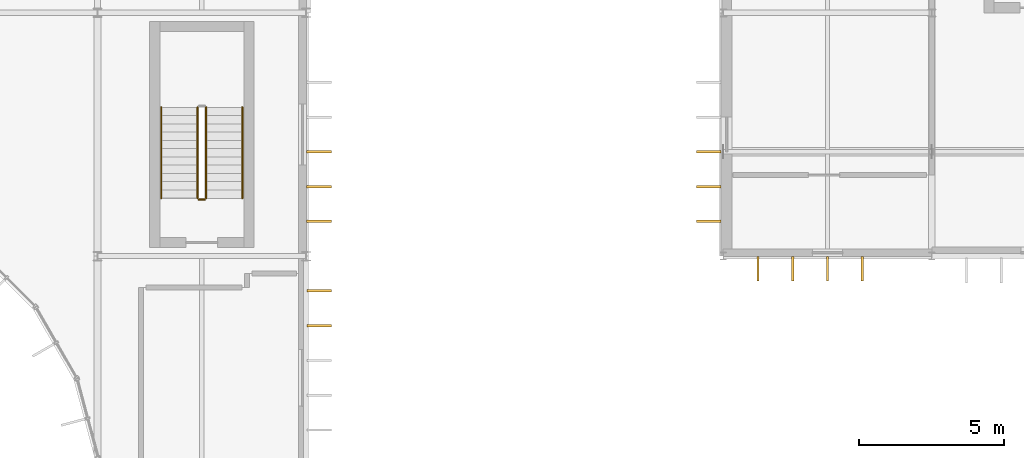
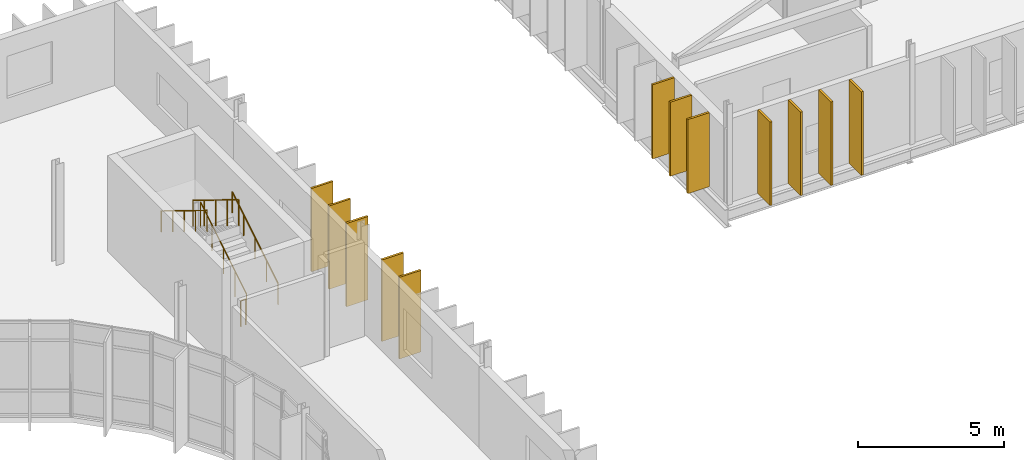
# One storey, part 48 of 52: 12 shading devices, 5 railings.
"""IFC4 building model written with IfcOpenShell, lengths in metres."""

from ifc_helpers import new_model, si_unit, direction, frame, origin, origin_2d, place, context, subcontext, project, spatial, rectangle, circle, extrude, material, type_object, element, save


model = new_model("IFC4")

# Units and contexts
model_context = context("Model", 3, precision=1e-05, world=origin(), true_north=direction((0.0, 1.0)))
body_context = subcontext(model_context, "Body", "Model", "MODEL_VIEW")
ifc_project = project(units=[si_unit("LENGTHUNIT", "METRE"), si_unit("AREAUNIT", "SQUARE_METRE"), si_unit("VOLUMEUNIT", "CUBIC_METRE"), si_unit("PLANEANGLEUNIT", "RADIAN"), si_unit("MASSUNIT", "GRAM", prefix="KILO")], contexts=[model_context])

# Site, building, storey
site_placement = place(None, origin())
site = spatial("IfcSite", under=ifc_project, at=site_placement, CompositionType="ELEMENT")
building_placement = place(site_placement, origin())
building = spatial("IfcBuilding", under=site, at=building_placement, Name="Qelthora Terrace Specialist Clinic", CompositionType="ELEMENT")
storey_placement = place(building_placement, frame((0.0, 0.0, 17.39990234375)))
storey = spatial("IfcBuildingStorey", under=building, at=storey_placement, Name="L04", CompositionType="ELEMENT", Elevation=17.39990234375)

# Railings
ifc_material_1 = material(Name="Steel S355", Category="steel")
railing_type_1 = type_object("IfcRailingType", Name="RAL-GD-1100-S355", PredefinedType="GUARDRAIL", material=ifc_material_1)
railing_1_placement = place(storey_placement, frame((39.75, 94.39990234375, 0.175048828125)))
element("IfcRailing", 1, at=railing_1_placement, inside=storey, type_object=railing_type_1, Name="L04 ST-02 stair guard 1", PredefinedType="GUARDRAIL", context=body_context, shape_type="SweptSolid", body=[
    extrude(circle(Radius=0.02392578125, at=origin_2d()), frame((0.0, 0.0, 1.076171875), z_axis=(0.0, 0.852166034122, 0.523271488128), x_axis=(-1.0, 0.0, 0.0)), (0.0, 0.0, 1.0), 3.678955078125),
    extrude(circle(Radius=0.02099609375, at=origin_2d()), origin(), (0.0, 0.0, 1.0), 1.052001953125),
    extrude(circle(Radius=0.02099609375, at=origin_2d()), frame((0.0, 0.78369140625, 0.481201171875)), (0.0, 0.0, 1.0), 1.052001953125),
    extrude(circle(Radius=0.02099609375, at=origin_2d()), frame((0.0, 1.5673828125, 0.96240234375)), (0.0, 0.0, 1.0), 1.052001953125),
    extrude(circle(Radius=0.02099609375, at=origin_2d()), frame((0.0, 2.351318359375, 1.44384765625)), (0.0, 0.0, 1.0), 1.052001953125),
    extrude(circle(Radius=0.02099609375, at=origin_2d()), frame((0.0, 3.135009765625, 1.925048828125)), (0.0, 0.0, 1.0), 1.052001953125),
])
railing_2_placement = place(storey_placement, frame((39.449951171875, 97.534912109375, 2.275146484375)))
element("IfcRailing", 2, at=railing_2_placement, inside=storey, type_object=railing_type_1, Name="L04 ST-02 stair guard 3", PredefinedType="GUARDRAIL", context=body_context, shape_type="SweptSolid", body=[
    extrude(circle(Radius=0.02392578125, at=origin_2d()), frame((0.0, 0.0, 1.076171875), z_axis=(0.0, -0.852166034122, 0.523271488128), x_axis=(1.0, 0.0, 0.0)), (0.0, 0.0, 1.0), 3.678955078125),
    extrude(circle(Radius=0.02099609375, at=origin_2d()), origin(), (0.0, 0.0, 1.0), 1.052001953125),
    extrude(circle(Radius=0.02099609375, at=origin_2d()), frame((0.0, -0.78369140625, 0.481201171875)), (0.0, 0.0, 1.0), 1.052001953125),
    extrude(circle(Radius=0.02099609375, at=origin_2d()), frame((0.0, -1.5673828125, 0.96240234375)), (0.0, 0.0, 1.0), 1.052001953125),
    extrude(circle(Radius=0.02099609375, at=origin_2d()), frame((0.0, -2.351318359375, 1.44384765625)), (0.0, 0.0, 1.0), 1.052001953125),
    extrude(circle(Radius=0.02099609375, at=origin_2d()), frame((0.0, -3.135009765625, 1.925048828125)), (0.0, 0.0, 1.0), 1.052001953125),
])
railing_3_placement = place(storey_placement, frame((39.699951171875, 94.35009765625, 0.0)))
element("IfcRailing", 3, at=railing_3_placement, inside=storey, type_object=railing_type_1, Name="L04 ST-02 stair guard 4", PredefinedType="GUARDRAIL", context=body_context, shape_type="SweptSolid", body=[
    extrude(circle(Radius=0.02392578125, at=origin_2d()), frame((0.0, 0.0, 1.076171875), z_axis=(-1.0, 0.0, 0.0), x_axis=(0.0, -1.0, 0.0)), (0.0, 0.0, 1.0), 0.199951171875),
    extrude(circle(Radius=0.02099609375, at=origin_2d()), origin(), (0.0, 0.0, 1.0), 1.052001953125),
    extrude(circle(Radius=0.02099609375, at=origin_2d()), frame((-0.199951171875, 0.0, 0.0)), (0.0, 0.0, 1.0), 1.052001953125),
])
railing_type_2 = type_object("IfcRailingType", Name="RAL-HR-900-S355", PredefinedType="HANDRAIL", material=ifc_material_1)
railing_4_placement = place(storey_placement, frame((41.0, 94.39990234375, 0.3681640625)))
element("IfcRailing", 4, at=railing_4_placement, inside=storey, type_object=railing_type_2, Name="L04 ST-02 stair handrail 1", PredefinedType="HANDRAIL", context=body_context, shape_type="SweptSolid", body=[
    extrude(circle(Radius=0.02392578125, at=origin_2d()), frame((0.0, 0.0, 0.8759765625), z_axis=(0.0, 0.852166034122, 0.523271488128), x_axis=(-1.0, 0.0, 0.0)), (0.0, 0.0, 1.0), 3.678955078125),
    extrude(circle(Radius=0.02099609375, at=origin_2d()), origin(), (0.0, 0.0, 1.0), 0.851806640625),
    extrude(circle(Radius=0.02099609375, at=origin_2d()), frame((0.0, 0.78369140625, 0.481201171875)), (0.0, 0.0, 1.0), 0.851806640625),
    extrude(circle(Radius=0.02099609375, at=origin_2d()), frame((0.0, 1.5673828125, 0.96240234375)), (0.0, 0.0, 1.0), 0.851806640625),
    extrude(circle(Radius=0.02099609375, at=origin_2d()), frame((0.0, 2.351318359375, 1.44384765625)), (0.0, 0.0, 1.0), 0.851806640625),
    extrude(circle(Radius=0.02099609375, at=origin_2d()), frame((0.0, 3.135009765625, 1.925048828125)), (0.0, 0.0, 1.0), 0.851806640625),
])
railing_5_placement = place(storey_placement, frame((38.199951171875, 97.534912109375, 2.468017578125)))
element("IfcRailing", 5, at=railing_5_placement, inside=storey, type_object=railing_type_2, Name="L04 ST-02 stair handrail 2", PredefinedType="HANDRAIL", context=body_context, shape_type="SweptSolid", body=[
    extrude(circle(Radius=0.02392578125, at=origin_2d()), frame((0.0, 0.0, 0.8759765625), z_axis=(0.0, -0.852166034122, 0.523271488128), x_axis=(1.0, 0.0, 0.0)), (0.0, 0.0, 1.0), 3.678955078125),
    extrude(circle(Radius=0.02099609375, at=origin_2d()), origin(), (0.0, 0.0, 1.0), 0.851806640625),
    extrude(circle(Radius=0.02099609375, at=origin_2d()), frame((0.0, -0.78369140625, 0.481201171875)), (0.0, 0.0, 1.0), 0.851806640625),
    extrude(circle(Radius=0.02099609375, at=origin_2d()), frame((0.0, -1.5673828125, 0.96240234375)), (0.0, 0.0, 1.0), 0.851806640625),
    extrude(circle(Radius=0.02099609375, at=origin_2d()), frame((0.0, -2.351318359375, 1.44384765625)), (0.0, 0.0, 1.0), 0.851806640625),
    extrude(circle(Radius=0.02099609375, at=origin_2d()), frame((0.0, -3.135009765625, 1.925048828125)), (0.0, 0.0, 1.0), 0.851806640625),
])

# Shading devices
ifc_material_2 = material(Name="Glulam timber GL28h", Category="wood")
shading_device_type = type_object("IfcShadingDeviceType", Name="SHD-FIN-850", PredefinedType="USERDEFINED", material=ifc_material_2)
for number, where, z_axis, x_axis, name in (
    (6, (58.800048828125, 91.965087890625, 0.000244140625), (0.0, 0.0, 1.0), (0.0, -1.0, 0.0), "Exterior solar shading fin FIN-1849"),
    (7, (60.0, 91.965087890625, 0.000244140625), (0.0, 0.0, 1.0), (0.0, -1.0, 0.0), "Exterior solar shading fin FIN-1850"),
    (8, (61.199951171875, 91.965087890625, 0.000244140625), (0.0, 0.0, 1.0), (0.0, -1.0, 0.0), "Exterior solar shading fin FIN-1851"),
    (9, (62.39990234375, 91.965087890625, 0.000244140625), (0.0, 0.0, 1.0), (0.0, -1.0, 0.0), "Exterior solar shading fin FIN-1852"),
):
    element("IfcShadingDevice", number, at=place(storey_placement, frame(where, z_axis=z_axis, x_axis=x_axis)), inside=storey, type_object=shading_device_type, Name=name, ObjectType="FIN", PredefinedType="USERDEFINED", context=body_context, shape_type="SweptSolid", body=[
        extrude(rectangle(XDim=0.85009765625, YDim=0.080078125, at=origin_2d()), origin(), (0.0, 0.0, 1.0), 3.48193359375),
    ])
for number, where, z_axis, x_axis, name in (
    (10, (57.10498046875, 93.60009765625, 0.0), (0.0, 0.0, 1.0), (-1.0, 0.0, 0.0), "Exterior solar shading fin FIN-1877"),
    (11, (57.10498046875, 94.800048828125, 0.0), (0.0, 0.0, 1.0), (-1.0, 0.0, 0.0), "Exterior solar shading fin FIN-1878"),
    (12, (57.10498046875, 96.0, 0.0), (0.0, 0.0, 1.0), (-1.0, 0.0, 0.0), "Exterior solar shading fin FIN-1879"),
):
    element("IfcShadingDevice", number, at=place(storey_placement, frame(where, z_axis=z_axis, x_axis=x_axis)), inside=storey, type_object=shading_device_type, Name=name, ObjectType="FIN", PredefinedType="USERDEFINED", context=body_context, shape_type="SweptSolid", body=[
        extrude(rectangle(XDim=0.85009765625, YDim=0.080078125, at=origin_2d()), origin(), (0.0, 0.0, 1.0), 3.091064453125),
    ])
for number, where, z_axis, x_axis, name in (
    (13, (43.655029296875, 90.0, 0.0), (0.0, 0.0, 1.0), (1.0, 0.0, 0.0), "Exterior solar shading fin FIN-1996"),
    (14, (43.655029296875, 91.199951171875, 0.0), (0.0, 0.0, 1.0), (1.0, 0.0, 0.0), "Exterior solar shading fin FIN-1997"),
):
    element("IfcShadingDevice", number, at=place(storey_placement, frame(where, z_axis=z_axis, x_axis=x_axis)), inside=storey, type_object=shading_device_type, Name=name, ObjectType="FIN", PredefinedType="USERDEFINED", context=body_context, shape_type="SweptSolid", body=[
        extrude(rectangle(XDim=0.85009765625, YDim=0.080078125, at=origin_2d()), origin(), (0.0, 0.0, 1.0), 3.405029296875),
    ])
for number, where, z_axis, x_axis, name in (
    (15, (43.64501953125, 93.60009765625, 0.0), (0.0, 0.0, 1.0), (1.0, 0.0, 0.0), "Exterior solar shading fin FIN-1998"),
    (16, (43.64501953125, 94.800048828125, 0.0), (0.0, 0.0, 1.0), (1.0, 0.0, 0.0), "Exterior solar shading fin FIN-1999"),
    (17, (43.64501953125, 96.0, 0.0), (0.0, 0.0, 1.0), (1.0, 0.0, 0.0), "Exterior solar shading fin FIN-2000"),
):
    element("IfcShadingDevice", number, at=place(storey_placement, frame(where, z_axis=z_axis, x_axis=x_axis)), inside=storey, type_object=shading_device_type, Name=name, ObjectType="FIN", PredefinedType="USERDEFINED", context=body_context, shape_type="SweptSolid", body=[
        extrude(rectangle(XDim=0.85009765625, YDim=0.080078125, at=origin_2d()), origin(), (0.0, 0.0, 1.0), 3.47607421875),
    ])

save(model, "model.ifc")
